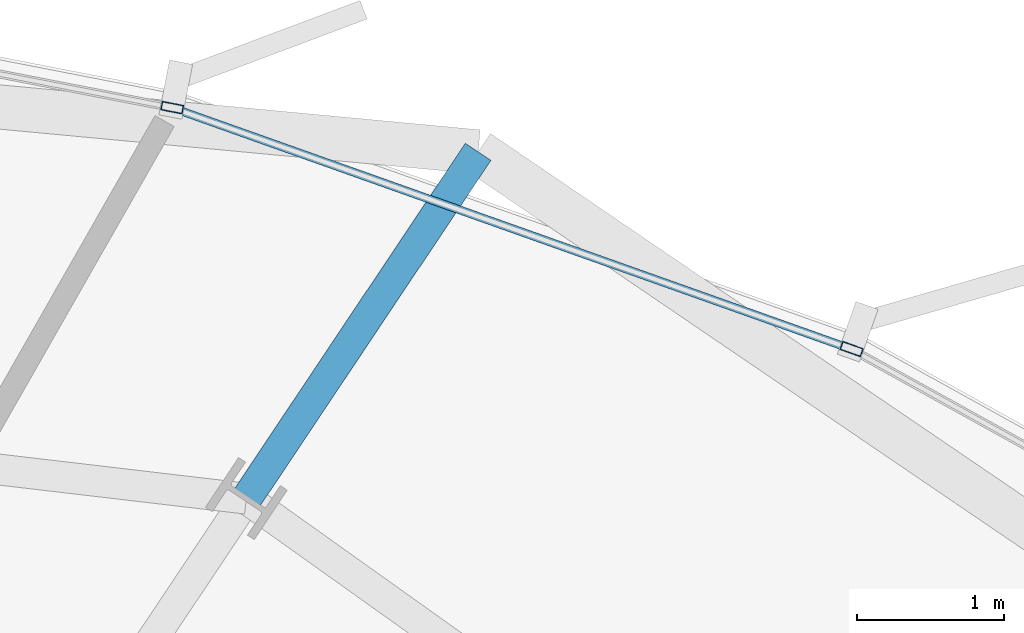
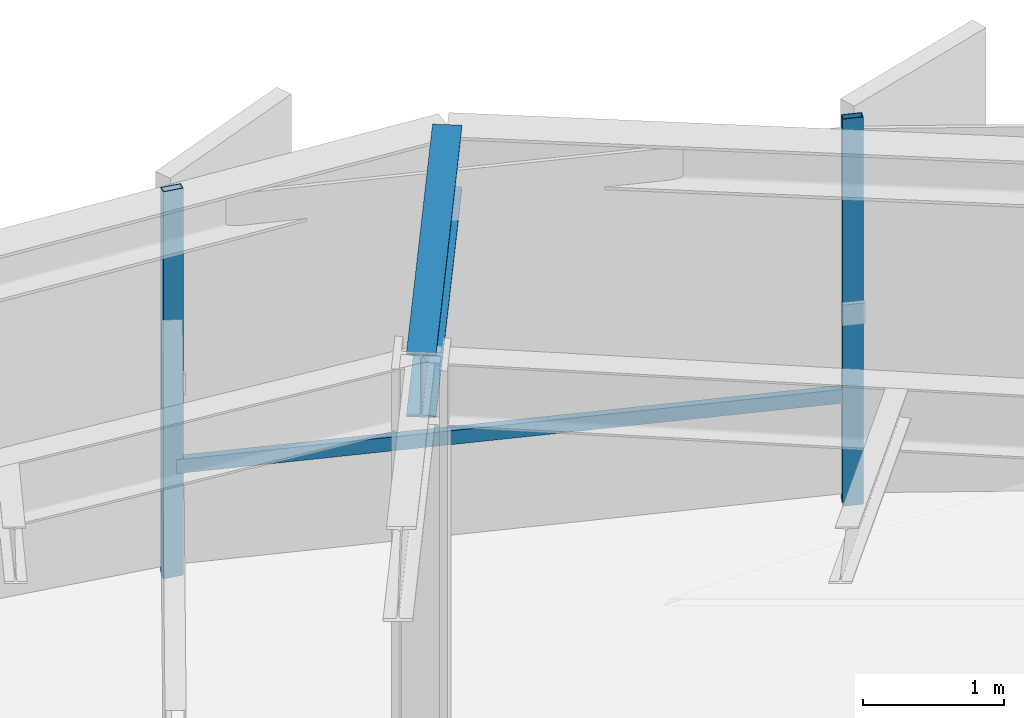
# One storey, part 24 of 35: 3 members, 1 beam, 1 element without a shape of its own.
"""IFC4 building model written with IfcOpenShell, lengths in metres."""

from ifc_helpers import new_model, si_unit, direction, frame, origin, origin_2d, place, context, subcontext, project, spatial, hollow_rectangle, i_section, extrude, source, transform, mapped, material, layer, layer_set, material_profile, profile_set, type_object, element, aggregate, save


model = new_model("IFC4")

# Units and contexts
model_context = context("Model", 3, precision=1e-05, world=origin(), true_north=direction((0.0, 1.0)))
body_context = subcontext(model_context, "Body", "Model", "MODEL_VIEW")
ifc_project = project(units=[si_unit("LENGTHUNIT", "METRE"), si_unit("AREAUNIT", "SQUARE_METRE"), si_unit("VOLUMEUNIT", "CUBIC_METRE"), si_unit("PLANEANGLEUNIT", "RADIAN"), si_unit("MASSUNIT", "GRAM", prefix="KILO"), si_unit("THERMODYNAMICTEMPERATUREUNIT", "KELVIN")], contexts=[model_context])

# Site, building, storey
site_placement = place(None, origin())
site = spatial("IfcSite", under=ifc_project, at=site_placement, CompositionType="ELEMENT")
building_placement = place(site_placement, origin())
building = spatial("IfcBuilding", under=site, at=building_placement, Name="Kethvar Cultural Tower", CompositionType="ELEMENT")
storey_placement = place(building_placement, frame((0.0, 0.0, 103.60009765625)))
storey = spatial("IfcBuildingStorey", under=building, at=storey_placement, Name="L25", CompositionType="ELEMENT", Elevation=103.60009765625)

# Beam
ifc_material_1 = material(Name="Steel S355J2", Category="steel")
ifc_material_profile_1 = material_profile(ifc_material_1, i_section(OverallWidth=0.2099609375, OverallDepth=0.550048828125, WebThickness=0.010986328125, FlangeThickness=0.01708984375, FilletRadius=0.02392578125, at=origin_2d()), Name="Steel S355J2 — IPE550")
ifc_profile_set_1 = profile_set([ifc_material_profile_1], Name="Steel S355J2 — IPE550")
beam_type = type_object("IfcBeamType", Name="BM-IPE550", PredefinedType="BEAM", material=ifc_profile_set_1)
shared_shape_1 = source(origin(), body_context, "Body", "SweptSolid", [
    extrude(i_section(OverallWidth=0.2099609375, OverallDepth=0.550048828125, WebThickness=0.010986328125, FlangeThickness=0.01708984375, FilletRadius=0.02392578125, at=origin_2d()), origin(), (0.0, 0.0, 1.0), 2.836669921875),
])
beam_placement = place(storey_placement, frame((60.40478515625, 48.160888671875, 3.072998046875), z_axis=(0.55555394035, 0.831480498485, 0.0), x_axis=(-0.831480498485, 0.55555394035, 0.0)))
element("IfcBeam", 1, at=beam_placement, inside=storey, type_object=beam_type, Name="L25 Perimeter Cantilever Beam RC-03", PredefinedType="BEAM", context=body_context, shape_type="MappedRepresentation", body=[
    mapped(shared_shape_1, transform((0.0, 0.0, 0.0), scale=1.0)),
])

# Curtain wall, members
ifc_material_2 = material(Name="Aluminium 6063-T6", Category="aluminium")
ifc_layer = layer(ifc_material_2, 0.179931640625, Name="Aluminium 6063-T6", Category="aluminium")
ifc_layer_set = layer_set([ifc_layer], Name="Aluminium 6063-T6 (180 mm)")
curtain_wall_type = type_object("IfcCurtainWallType", Name="CW-SYS-03-Z2", PredefinedType="NOTDEFINED", material=ifc_layer_set)
curtain_wall_placement = place(storey_placement, origin())
curtain_wall = element("IfcCurtainWall", 2, at=curtain_wall_placement, inside=storey, type_object=curtain_wall_type, Name="L25 Curtain Wall Run 01", PredefinedType="NOTDEFINED")
ifc_material_profile_2 = material_profile(ifc_material_2, hollow_rectangle(XDim=0.06005859375, YDim=0.14990234375, WallThickness=0.0048828125, at=origin_2d()), Name="Aluminium 6063-T6 — RHS150x60x5")
ifc_profile_set_2 = profile_set([ifc_material_profile_2], Name="Aluminium 6063-T6 — RHS150x60x5")
member_type_1 = type_object("IfcMemberType", Name="CW-SYS-03-Z2-MUL", PredefinedType="MULLION", material=ifc_profile_set_2)
shared_shape_2 = source(origin(), body_context, "Body", "SweptSolid", [
    extrude(hollow_rectangle(XDim=0.06005859375, YDim=0.14990234375, WallThickness=0.0048828125, at=origin_2d()), origin(), (0.0, 0.0, 1.0), 3.349853515625),
])
member_1_placement = place(storey_placement, frame((64.52001953125, 49.177978515625, 0.0), z_axis=(0.0, 0.0, 1.0), x_axis=(-0.334645788966, -0.942343990233, 0.0)))
member_1 = element("IfcMember", 3, at=member_1_placement, type_object=member_type_1, Name="CW-L25-R01 Mullion 5", PredefinedType="MULLION", context=body_context, shape_type="MappedRepresentation", body=[
    mapped(shared_shape_2, transform((0.0, 0.0, 0.0), scale=1.0)),
])
member_2_placement = place(storey_placement, frame((59.900390625, 50.81982421875, 0.0), z_axis=(0.0, 0.0, 1.0), x_axis=(-0.191031714606, -0.981583864993, 0.0)))
member_2 = element("IfcMember", 4, at=member_2_placement, type_object=member_type_1, Name="CW-L25-R01 Mullion 6", PredefinedType="MULLION", context=body_context, shape_type="MappedRepresentation", body=[
    mapped(shared_shape_2, transform((0.0, 0.0, 0.0), scale=1.0)),
])
ifc_material_profile_3 = material_profile(ifc_material_2, hollow_rectangle(XDim=0.054931640625, YDim=0.1201171875, WallThickness=0.00390625, at=origin_2d()), Name="Aluminium 6063-T6 — RHS120x55x4")
ifc_profile_set_3 = profile_set([ifc_material_profile_3], Name="Aluminium 6063-T6 — RHS120x55x4")
member_type_2 = type_object("IfcMemberType", Name="CW-SYS-03-Z2-TRN", PredefinedType="USERDEFINED", material=ifc_profile_set_3)
shared_shape_3 = source(origin(), body_context, "Body", "SweptSolid", [
    extrude(hollow_rectangle(XDim=0.054931640625, YDim=0.1201171875, WallThickness=0.00390625, at=origin_2d()), origin(), (0.0, 0.0, 1.0), 4.8330078125),
])
member_3_placement = place(storey_placement, frame((64.479248046875, 49.1923828125, 0.949951171875), z_axis=(-0.94234041082, 0.334655868222, 0.0), x_axis=(-0.334655868222, -0.94234041082, 0.0)))
member_3 = element("IfcMember", 5, at=member_3_placement, type_object=member_type_2, Name="CW-L25-R01 Transom 5", ObjectType="TRANSOM", PredefinedType="USERDEFINED", context=body_context, shape_type="MappedRepresentation", body=[
    mapped(shared_shape_3, transform((0.0, 0.0, 0.0), scale=1.0)),
])
aggregate(curtain_wall, [member_1, member_2, member_3])

save(model, "model.ifc")
